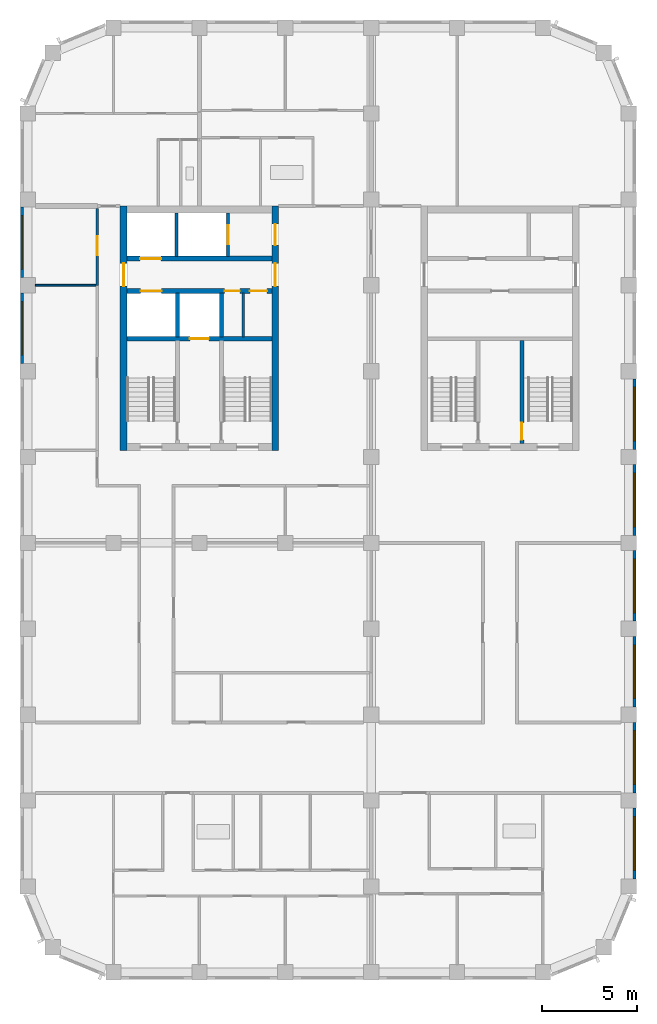
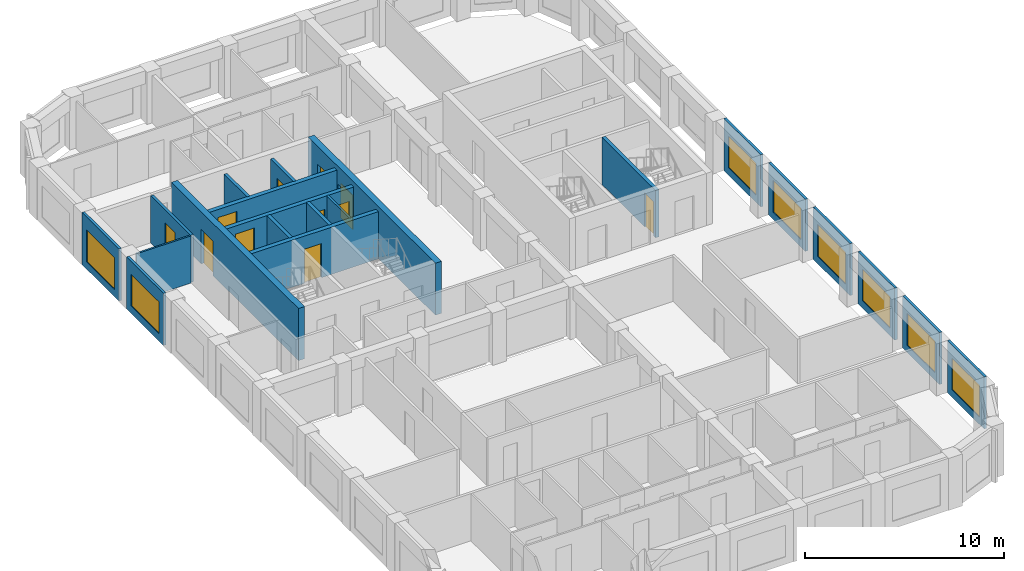
# One storey, part 5 of 10: 21 walls, 11 doors, 8 windows, 19 openings.
"""IFC4 building model written with IfcOpenShell, lengths in metres."""

from ifc_helpers import new_model, si_unit, direction, frame, frame_2d, origin, place, context, subcontext, project, spatial, rectangle, extrude, material, layer, layer_set, type_object, element, fill, save


model = new_model("IFC4")

# Units and contexts
model_context = context("Model", 3, precision=1e-05, world=origin(), true_north=direction((0.0, 1.0)))
body_context = subcontext(model_context, "Body", "Model", "MODEL_VIEW")
ifc_project = project(units=[si_unit("LENGTHUNIT", "METRE"), si_unit("AREAUNIT", "SQUARE_METRE"), si_unit("VOLUMEUNIT", "CUBIC_METRE"), si_unit("PLANEANGLEUNIT", "RADIAN"), si_unit("MASSUNIT", "GRAM", prefix="KILO")], contexts=[model_context])

# Site, building, storey
site_placement = place(None, origin())
site = spatial("IfcSite", under=ifc_project, at=site_placement, CompositionType="ELEMENT")
building_placement = place(site_placement, origin())
building = spatial("IfcBuilding", under=site, at=building_placement, Name="Girih Gate Residences", CompositionType="ELEMENT")
storey_placement = place(building_placement, frame((0.0, 0.0, 192.300048828125)))
storey = spatial("IfcBuildingStorey", under=building, at=storey_placement, Name="L53", CompositionType="ELEMENT", Elevation=192.300048828125)

# Wall, opening, door
ifc_material_1 = material(Name="Gypsum board on steel studs", Category="steel")
ifc_layer_1 = layer(ifc_material_1, 0.14990234375)
ifc_layer_set_1 = layer_set([ifc_layer_1], Name="Compartment wall 150 mm")
wall_type_1 = type_object("IfcWallType", Name="Compartment wall 150 mm", PredefinedType="PARTITIONING", material=ifc_layer_set_1)
wall_1_placement = place(storey_placement, frame((3.64990234375, 36.0, 0.0), z_axis=(0.0, 0.0, 1.0), x_axis=(0.0, 1.0, 0.0)))
wall_1 = element("IfcWall", 1, at=wall_1_placement, inside=storey, type_object=wall_type_1, Name="L53 partition", PredefinedType="PARTITIONING", context=body_context, shape_type="SweptSolid", body=[
    extrude(rectangle(XDim=4.02490234375, YDim=0.14990234375, at=frame_2d((2.012451171875, 0.0))), origin(), (0.0, 0.0, 1.0), 2.89990234375),
])
opening_1_placement = place(wall_1_placement, frame((1.574951171875, 0.0, 0.0)))
opening_1 = element("IfcOpeningElement", 2, at=opening_1_placement, cuts=wall_1, Name="Opening A53-039", PredefinedType="OPENING", context=body_context, shape_type="SweptSolid", body=[
    extrude(rectangle(XDim=1.0, YDim=2.10009765625, at=frame_2d((0.5, 1.050048828125))), frame((0.0, 0.0849609375, 0.0), z_axis=(0.0, -1.0, 0.0), x_axis=(1.0, 0.0, 0.0)), (0.0, 0.0, 1.0), 0.169921875),
])
ifc_material_2 = material(Name="Timber, fire-rated core", Category="wood")
door_type_1 = type_object("IfcDoorType", Name="Amenity room door 1000x2100 FD30S", OperationType="NOTDEFINED", PredefinedType="DOOR", material=ifc_material_2)
door_1_placement = place(opening_1_placement, origin())
door_1 = element("IfcDoor", 3, at=door_1_placement, inside=storey, type_object=door_type_1, Name="Door A53-039", OperationType="SINGLE_SWING_RIGHT", OverallHeight=2.10009765625, OverallWidth=1.0, PredefinedType="DOOR", context=body_context, shape_type="SweptSolid", body=[
    extrude(rectangle(XDim=1.0, YDim=2.10009765625, at=frame_2d((0.5, 1.050048828125))), frame((0.0, 0.02490234375, 0.0), z_axis=(0.0, -1.0, 0.0), x_axis=(1.0, 0.0, 0.0)), (0.0, 0.0, 1.0), 0.050048828125),
])
fill(opening_1, door_1)

ifc_material_3 = material(Name="Concrete C60/75", Category="concrete")
ifc_layer_2 = layer(ifc_material_3, 0.35009765625)
ifc_layer_set_2 = layer_set([ifc_layer_2], Name="Core wall RC 350 Concrete C60/75")
wall_type_2 = type_object("IfcWallType", Name="Core wall RC 350 Concrete C60/75", PredefinedType="SOLIDWALL", material=ifc_layer_set_2)
wall_2_placement = place(storey_placement, frame((5.02490234375, 27.35009765625, 0.0), z_axis=(0.0, 0.0, 1.0), x_axis=(0.0, 1.0, 0.0)))
wall_2 = element("IfcWall", 4, at=wall_2_placement, inside=storey, type_object=wall_type_2, Name="Core wall W-W L53", PredefinedType="SOLIDWALL", context=body_context, shape_type="SweptSolid", body=[
    extrude(rectangle(XDim=12.7998046875, YDim=0.35009765625, at=frame_2d((6.39990234375, 0.0))), origin(), (0.0, 0.0, 1.0), 3.199951171875),
])
opening_2_placement = place(wall_2_placement, frame((8.60009765625, 0.0, 0.0)))
opening_2 = element("IfcOpeningElement", 5, at=opening_2_placement, cuts=wall_2, Name="Opening D-L53-W-013", PredefinedType="OPENING", context=body_context, shape_type="SweptSolid", body=[
    extrude(rectangle(XDim=1.199951171875, YDim=2.10009765625, at=frame_2d((0.60009765625, 1.050048828125))), frame((0.0, 0.18505859375, 0.0), z_axis=(0.0, -1.0, 0.0), x_axis=(1.0, 0.0, 0.0)), (0.0, 0.0, 1.0), 0.3701171875),
])
ifc_material_4 = material(Name="Painted steel, fire-resisting", Category="steel")
door_type_2 = type_object("IfcDoorType", Name="Fire door 1200x2100", OperationType="SINGLE_SWING_LEFT", PredefinedType="DOOR", material=ifc_material_4)
door_2_placement = place(opening_2_placement, origin())
door_2 = element("IfcDoor", 6, at=door_2_placement, inside=storey, type_object=door_type_2, Name="L53 W core door ll-w", OperationType="SINGLE_SWING_LEFT", OverallHeight=2.10009765625, OverallWidth=1.199951171875, PredefinedType="DOOR", context=body_context, shape_type="SweptSolid", body=[
    extrude(rectangle(XDim=1.199951171875, YDim=2.10009765625, at=frame_2d((0.60009765625, 1.050048828125))), frame((0.0, 0.02490234375, 0.0), z_axis=(0.0, -1.0, 0.0), x_axis=(1.0, 0.0, 0.0)), (0.0, 0.0, 1.0), 0.050048828125),
])
fill(opening_2, door_2)

# Wall, openings, doors
wall_3_placement = place(storey_placement, frame((12.97509765625, 27.35009765625, 0.0), z_axis=(0.0, 0.0, 1.0), x_axis=(0.0, 1.0, 0.0)))
wall_3 = element("IfcWall", 7, at=wall_3_placement, inside=storey, type_object=wall_type_2, Name="Core wall W-E L53", PredefinedType="SOLIDWALL", context=body_context, shape_type="SweptSolid", body=[
    extrude(rectangle(XDim=12.7998046875, YDim=0.35009765625, at=frame_2d((6.39990234375, 0.0))), origin(), (0.0, 0.0, 1.0), 3.199951171875),
])
opening_3_placement = place(wall_3_placement, frame((10.75, 0.0, 0.0)))
opening_3 = element("IfcOpeningElement", 8, at=opening_3_placement, cuts=wall_3, Name="Opening D-L53-W-012", PredefinedType="OPENING", context=body_context, shape_type="SweptSolid", body=[
    extrude(rectangle(XDim=1.10009765625, YDim=2.10009765625, at=frame_2d((0.550048828125, 1.050048828125))), frame((0.0, 0.18505859375, 0.0), z_axis=(0.0, -1.0, 0.0), x_axis=(1.0, 0.0, 0.0)), (0.0, 0.0, 1.0), 0.3701171875),
])
opening_4_placement = place(wall_3_placement, frame((8.60009765625, 0.0, 0.0)))
opening_4 = element("IfcOpeningElement", 9, at=opening_4_placement, cuts=wall_3, Name="Opening D-L53-W-014", PredefinedType="OPENING", context=body_context, shape_type="SweptSolid", body=[
    extrude(rectangle(XDim=1.199951171875, YDim=2.10009765625, at=frame_2d((0.60009765625, 1.050048828125))), frame((0.0, 0.18505859375, 0.0), z_axis=(0.0, -1.0, 0.0), x_axis=(1.0, 0.0, 0.0)), (0.0, 0.0, 1.0), 0.3701171875),
])
door_type_3 = type_object("IfcDoorType", Name="Fire door 1100x2100", OperationType="SINGLE_SWING_LEFT", PredefinedType="DOOR", material=ifc_material_4)
door_3_placement = place(opening_3_placement, origin())
door_3 = element("IfcDoor", 10, at=door_3_placement, inside=storey, type_object=door_type_3, Name="L53 W core door ffl2-e", OperationType="SINGLE_SWING_LEFT", OverallHeight=2.10009765625, OverallWidth=1.10009765625, PredefinedType="DOOR", context=body_context, shape_type="SweptSolid", body=[
    extrude(rectangle(XDim=1.10009765625, YDim=2.10009765625, at=frame_2d((0.550048828125, 1.050048828125))), frame((0.0, 0.02490234375, 0.0), z_axis=(0.0, -1.0, 0.0), x_axis=(1.0, 0.0, 0.0)), (0.0, 0.0, 1.0), 0.050048828125),
])
fill(opening_3, door_3)
door_4_placement = place(opening_4_placement, origin())
door_4 = element("IfcDoor", 11, at=door_4_placement, inside=storey, type_object=door_type_2, Name="L53 W core door ll-e", OperationType="SINGLE_SWING_LEFT", OverallHeight=2.10009765625, OverallWidth=1.199951171875, PredefinedType="DOOR", context=body_context, shape_type="SweptSolid", body=[
    extrude(rectangle(XDim=1.199951171875, YDim=2.10009765625, at=frame_2d((0.60009765625, 1.050048828125))), frame((0.0, 0.02490234375, 0.0), z_axis=(0.0, -1.0, 0.0), x_axis=(1.0, 0.0, 0.0)), (0.0, 0.0, 1.0), 0.050048828125),
])
fill(opening_4, door_4)

# Wall, opening, door
ifc_material_5 = material(Name="Concrete C40/50", Category="concrete")
ifc_layer_3 = layer(ifc_material_5, 0.25)
ifc_layer_set_3 = layer_set([ifc_layer_3], Name="Lift shaft wall 250")
wall_type_3 = type_object("IfcWallType", Name="Lift shaft wall 250", PredefinedType="SOLIDWALL", material=ifc_layer_set_3)
wall_4_placement = place(storey_placement, frame((5.199951171875, 33.199951171875, 0.0), z_axis=(0.0, 0.0, 1.0), x_axis=(1.0, 0.0, 0.0)))
wall_4 = element("IfcWall", 12, at=wall_4_placement, inside=storey, type_object=wall_type_3, Name="L53 W core wall H1", PredefinedType="SOLIDWALL", context=body_context, shape_type="SweptSolid", body=[
    extrude(rectangle(XDim=7.60009765625, YDim=0.25, at=frame_2d((3.800048828125, 0.0))), origin(), (0.0, 0.0, 1.0), 2.89990234375),
])
opening_5_placement = place(wall_4_placement, frame((3.300048828125, 0.0, 0.0)))
opening_5 = element("IfcOpeningElement", 13, at=opening_5_placement, cuts=wall_4, Name="Opening D-L53-W-006", PredefinedType="OPENING", context=body_context, shape_type="SweptSolid", body=[
    extrude(rectangle(XDim=1.0, YDim=2.10009765625, at=frame_2d((0.5, 1.050048828125))), frame((0.0, 0.135009765625, 0.0), z_axis=(0.0, -1.0, 0.0), x_axis=(1.0, 0.0, 0.0)), (0.0, 0.0, 1.0), 0.27001953125),
])
ifc_material_6 = material(Name="Stainless steel, fire-resisting", Category="steel")
door_type_4 = type_object("IfcDoorType", Name="Firefighting lift landing door 1000x2100", OperationType="SLIDING_TO_LEFT", PredefinedType="DOOR", material=ifc_material_6)
door_5_placement = place(opening_5_placement, origin())
door_5 = element("IfcDoor", 14, at=door_5_placement, inside=storey, type_object=door_type_4, Name="L53 lift FF-W landing door", OperationType="SLIDING_TO_LEFT", OverallHeight=2.10009765625, OverallWidth=1.0, PredefinedType="DOOR", context=body_context, shape_type="SweptSolid", body=[
    extrude(rectangle(XDim=1.0, YDim=2.10009765625, at=frame_2d((0.5, 1.050048828125))), frame((0.0, 0.02490234375, 0.0), z_axis=(0.0, -1.0, 0.0), x_axis=(1.0, 0.0, 0.0)), (0.0, 0.0, 1.0), 0.050048828125),
])
fill(opening_5, door_5)

# Wall, openings, doors
wall_5_placement = place(storey_placement, frame((5.199951171875, 35.699951171875, 0.0), z_axis=(0.0, 0.0, 1.0), x_axis=(1.0, 0.0, 0.0)))
wall_5 = element("IfcWall", 15, at=wall_5_placement, inside=storey, type_object=wall_type_3, Name="L53 W core wall H2", PredefinedType="SOLIDWALL", context=body_context, shape_type="SweptSolid", body=[
    extrude(rectangle(XDim=7.60009765625, YDim=0.25, at=frame_2d((3.800048828125, 0.0))), origin(), (0.0, 0.0, 1.0), 2.89990234375),
])
opening_6_placement = place(wall_5_placement, frame((0.72509765625, 0.0, 0.0)))
opening_6 = element("IfcOpeningElement", 16, at=opening_6_placement, cuts=wall_5, Name="Opening D-L53-W-005", PredefinedType="OPENING", context=body_context, shape_type="SweptSolid", body=[
    extrude(rectangle(XDim=1.10009765625, YDim=2.39990234375, at=frame_2d((0.550048828125, 1.199951171875))), frame((0.0, 0.135009765625, 0.0), z_axis=(0.0, -1.0, 0.0), x_axis=(1.0, 0.0, 0.0)), (0.0, 0.0, 1.0), 0.27001953125),
])
opening_7_placement = place(wall_5_placement, frame((5.125, 0.0, 0.0)))
opening_7 = element("IfcOpeningElement", 17, at=opening_7_placement, cuts=wall_5, Name="Opening D-L53-W-007", PredefinedType="OPENING", context=body_context, shape_type="SweptSolid", body=[
    extrude(rectangle(XDim=0.800048828125, YDim=2.10009765625, at=frame_2d((0.39990234375, 1.050048828125))), frame((0.0, 0.135009765625, 0.0), z_axis=(0.0, -1.0, 0.0), x_axis=(1.0, 0.0, 0.0)), (0.0, 0.0, 1.0), 0.27001953125),
])
opening_8_placement = place(wall_5_placement, frame((6.449951171875, 0.0, 0.0)))
opening_8 = element("IfcOpeningElement", 18, at=opening_8_placement, cuts=wall_5, Name="Opening D-L53-W-008", PredefinedType="OPENING", context=body_context, shape_type="SweptSolid", body=[
    extrude(rectangle(XDim=0.89990234375, YDim=2.10009765625, at=frame_2d((0.449951171875, 1.050048828125))), frame((0.0, 0.135009765625, 0.0), z_axis=(0.0, -1.0, 0.0), x_axis=(1.0, 0.0, 0.0)), (0.0, 0.0, 1.0), 0.27001953125),
])
door_type_5 = type_object("IfcDoorType", Name="Fire door 800x2100", OperationType="SINGLE_SWING_LEFT", PredefinedType="DOOR", material=ifc_material_4)
door_6_placement = place(opening_7_placement, origin())
door_6 = element("IfcDoor", 19, at=door_6_placement, inside=storey, type_object=door_type_5, Name="L53 W refuse store door", OperationType="SINGLE_SWING_LEFT", OverallHeight=2.10009765625, OverallWidth=0.800048828125, PredefinedType="DOOR", context=body_context, shape_type="SweptSolid", body=[
    extrude(rectangle(XDim=0.800048828125, YDim=2.10009765625, at=frame_2d((0.39990234375, 1.050048828125))), frame((0.0, 0.02490234375, 0.0), z_axis=(0.0, -1.0, 0.0), x_axis=(1.0, 0.0, 0.0)), (0.0, 0.0, 1.0), 0.050048828125),
])
fill(opening_7, door_6)
door_type_6 = type_object("IfcDoorType", Name="Fire door 900x2100", OperationType="SINGLE_SWING_LEFT", PredefinedType="DOOR", material=ifc_material_4)
door_7_placement = place(opening_8_placement, origin())
door_7 = element("IfcDoor", 20, at=door_7_placement, inside=storey, type_object=door_type_6, Name="L53 W cleaners store door", OperationType="SINGLE_SWING_LEFT", OverallHeight=2.10009765625, OverallWidth=0.89990234375, PredefinedType="DOOR", context=body_context, shape_type="SweptSolid", body=[
    extrude(rectangle(XDim=0.89990234375, YDim=2.10009765625, at=frame_2d((0.449951171875, 1.050048828125))), frame((0.0, 0.02490234375, 0.0), z_axis=(0.0, -1.0, 0.0), x_axis=(1.0, 0.0, 0.0)), (0.0, 0.0, 1.0), 0.050048828125),
])
fill(opening_8, door_7)
ifc_material_7 = material(Name="Stainless steel", Category="steel")
door_type_7 = type_object("IfcDoorType", Name="Lift landing door 1100x2400", OperationType="SLIDING_TO_LEFT", PredefinedType="DOOR", material=ifc_material_7)
door_8_placement = place(opening_6_placement, origin())
door_8 = element("IfcDoor", 21, at=door_8_placement, inside=storey, type_object=door_type_7, Name="L53 lift HR-W1 landing door", OperationType="SLIDING_TO_LEFT", OverallHeight=2.39990234375, OverallWidth=1.10009765625, PredefinedType="DOOR", context=body_context, shape_type="SweptSolid", body=[
    extrude(rectangle(XDim=1.10009765625, YDim=2.39990234375, at=frame_2d((0.550048828125, 1.199951171875))), frame((0.0, 0.02490234375, 0.0), z_axis=(0.0, -1.0, 0.0), x_axis=(1.0, 0.0, 0.0)), (0.0, 0.0, 1.0), 0.050048828125),
])
fill(opening_6, door_8)

# Wall, opening, door
wall_6_placement = place(storey_placement, frame((5.199951171875, 37.39990234375, 0.0), z_axis=(0.0, 0.0, 1.0), x_axis=(1.0, 0.0, 0.0)))
wall_6 = element("IfcWall", 22, at=wall_6_placement, inside=storey, type_object=wall_type_3, Name="L53 W core wall H3", PredefinedType="SOLIDWALL", context=body_context, shape_type="SweptSolid", body=[
    extrude(rectangle(XDim=7.60009765625, YDim=0.25, at=frame_2d((3.800048828125, 0.0))), origin(), (0.0, 0.0, 1.0), 2.89990234375),
])
opening_9_placement = place(wall_6_placement, frame((0.699951171875, 0.0, 0.0)))
opening_9 = element("IfcOpeningElement", 23, at=opening_9_placement, cuts=wall_6, Name="Opening D-L53-W-003", PredefinedType="OPENING", context=body_context, shape_type="SweptSolid", body=[
    extrude(rectangle(XDim=1.10009765625, YDim=2.39990234375, at=frame_2d((0.550048828125, 1.199951171875))), frame((0.0, 0.135009765625, 0.0), z_axis=(0.0, -1.0, 0.0), x_axis=(1.0, 0.0, 0.0)), (0.0, 0.0, 1.0), 0.27001953125),
])
door_9_placement = place(opening_9_placement, origin())
door_9 = element("IfcDoor", 24, at=door_9_placement, inside=storey, type_object=door_type_7, Name="L53 lift LR-W1 landing door", OperationType="SLIDING_TO_LEFT", OverallHeight=2.39990234375, OverallWidth=1.10009765625, PredefinedType="DOOR", context=body_context, shape_type="SweptSolid", body=[
    extrude(rectangle(XDim=1.10009765625, YDim=2.39990234375, at=frame_2d((0.550048828125, 1.199951171875))), frame((0.0, 0.02490234375, 0.0), z_axis=(0.0, -1.0, 0.0), x_axis=(1.0, 0.0, 0.0)), (0.0, 0.0, 1.0), 0.050048828125),
])
fill(opening_9, door_9)

# Wall
ifc_layer_4 = layer(ifc_material_1, 0.10009765625)
ifc_layer_set_4 = layer_set([ifc_layer_4], Name="Partition 100 mm")
wall_type_4 = type_object("IfcWallType", Name="Partition 100 mm", PredefinedType="PARTITIONING", material=ifc_layer_set_4)
wall_7_placement = place(storey_placement, frame((0.39990234375, 36.0, 0.0), z_axis=(0.0, 0.0, 1.0), x_axis=(1.0, 0.0, 0.0)))
element("IfcWall", 25, at=wall_7_placement, inside=storey, type_object=wall_type_4, Name="L53 partition", PredefinedType="PARTITIONING", context=body_context, shape_type="SweptSolid", body=[
    extrude(rectangle(XDim=3.175048828125, YDim=0.10009765625, at=frame_2d((1.58740234375, 0.0))), origin(), (0.0, 0.0, 1.0), 2.89990234375),
])

# Wall, opening, window
ifc_material_8 = material(Name="Precast concrete C50/60", Category="concrete")
ifc_layer_5 = layer(ifc_material_8, 0.050048828125, Name="Outer leaf")
ifc_material_9 = material(Name="Rigid PIR insulation")
ifc_layer_6 = layer(ifc_material_9, 0.06005859375, Name="Insulation")
ifc_material_10 = material(Name="Precast concrete C40/50", Category="concrete")
ifc_layer_7 = layer(ifc_material_10, 0.0400390625, Name="Inner leaf")
ifc_layer_set_5 = layer_set([ifc_layer_5, ifc_layer_6, ifc_layer_7], Name="Precast concrete C50/60 external wall 150")
wall_type_5 = type_object("IfcWallType", Name="Precast concrete C50/60 external wall 150", PredefinedType="SOLIDWALL", material=ifc_layer_set_5)
wall_8_placement = place(storey_placement, frame((31.800048828125, 8.60009765625, 0.0), z_axis=(0.0, 0.0, 1.0), x_axis=(0.0, -1.0, 0.0)))
wall_8 = element("IfcWall", 26, at=wall_8_placement, inside=storey, type_object=wall_type_5, Name="External wall E0315_0045.0", PredefinedType="SOLIDWALL", context=body_context, shape_type="SweptSolid", body=[
    extrude(rectangle(XDim=3.7001953125, YDim=0.14990234375, at=frame_2d((1.85009765625, 0.0))), origin(), (0.0, 0.0, 1.0), 3.199951171875),
])
opening_10_placement = place(wall_8_placement, frame((0.449951171875, 0.0, 0.449951171875)))
opening_10 = element("IfcOpeningElement", 27, at=opening_10_placement, cuts=wall_8, Name="Opening W-1B", PredefinedType="OPENING", context=body_context, shape_type="SweptSolid", body=[
    extrude(rectangle(XDim=2.800048828125, YDim=1.949951171875, at=frame_2d((1.39990234375, 0.97509765625))), frame((0.0, 0.0849609375, 0.0), z_axis=(0.0, -1.0, 0.0), x_axis=(1.0, 0.0, 0.0)), (0.0, 0.0, 1.0), 0.169921875),
])
ifc_material_11 = material(Name="Double glazing in aluminium frame", Category="aluminium")
window_type = type_object("IfcWindowType", Name="Window W-1B 2800x1950", PartitioningType="SINGLE_PANEL", PredefinedType="WINDOW", material=ifc_material_11)
window_1_placement = place(opening_10_placement, origin())
window_1 = element("IfcWindow", 28, at=window_1_placement, inside=storey, type_object=window_type, Name="Window W-1B E0315_0045.0", OverallHeight=1.949951171875, OverallWidth=2.800048828125, PartitioningType="SINGLE_PANEL", PredefinedType="WINDOW", context=body_context, shape_type="SweptSolid", body=[
    extrude(rectangle(XDim=2.800048828125, YDim=1.949951171875, at=frame_2d((1.39990234375, 0.97509765625))), frame((0.0, 0.030029296875, 0.0), z_axis=(0.0, -1.0, 0.0), x_axis=(1.0, 0.0, 0.0)), (0.0, 0.0, 1.0), 0.06005859375),
])
fill(opening_10, window_1)

wall_9_placement = place(storey_placement, frame((31.800048828125, 13.10009765625, 0.0), z_axis=(0.0, 0.0, 1.0), x_axis=(0.0, -1.0, 0.0)))
wall_9 = element("IfcWall", 29, at=wall_9_placement, inside=storey, type_object=wall_type_5, Name="External wall E0315_0045.1", PredefinedType="SOLIDWALL", context=body_context, shape_type="SweptSolid", body=[
    extrude(rectangle(XDim=3.7001953125, YDim=0.14990234375, at=frame_2d((1.85009765625, 0.0))), origin(), (0.0, 0.0, 1.0), 3.199951171875),
])
opening_11_placement = place(wall_9_placement, frame((0.449951171875, 0.0, 0.449951171875)))
opening_11 = element("IfcOpeningElement", 30, at=opening_11_placement, cuts=wall_9, Name="Opening W-1B", PredefinedType="OPENING", context=body_context, shape_type="SweptSolid", body=[
    extrude(rectangle(XDim=2.800048828125, YDim=1.949951171875, at=frame_2d((1.39990234375, 0.97509765625))), frame((0.0, 0.0849609375, 0.0), z_axis=(0.0, -1.0, 0.0), x_axis=(1.0, 0.0, 0.0)), (0.0, 0.0, 1.0), 0.169921875),
])
window_2_placement = place(opening_11_placement, origin())
window_2 = element("IfcWindow", 31, at=window_2_placement, inside=storey, type_object=window_type, Name="Window W-1B E0315_0045.1", OverallHeight=1.949951171875, OverallWidth=2.800048828125, PartitioningType="SINGLE_PANEL", PredefinedType="WINDOW", context=body_context, shape_type="SweptSolid", body=[
    extrude(rectangle(XDim=2.800048828125, YDim=1.949951171875, at=frame_2d((1.39990234375, 0.97509765625))), frame((0.0, 0.030029296875, 0.0), z_axis=(0.0, -1.0, 0.0), x_axis=(1.0, 0.0, 0.0)), (0.0, 0.0, 1.0), 0.06005859375),
])
fill(opening_11, window_2)

wall_10_placement = place(storey_placement, frame((31.800048828125, 17.60009765625, 0.0), z_axis=(0.0, 0.0, 1.0), x_axis=(0.0, -1.0, 0.0)))
wall_10 = element("IfcWall", 32, at=wall_10_placement, inside=storey, type_object=wall_type_5, Name="External wall E0315_0045.2", PredefinedType="SOLIDWALL", context=body_context, shape_type="SweptSolid", body=[
    extrude(rectangle(XDim=3.7001953125, YDim=0.14990234375, at=frame_2d((1.85009765625, 0.0))), origin(), (0.0, 0.0, 1.0), 3.199951171875),
])
opening_12_placement = place(wall_10_placement, frame((0.449951171875, 0.0, 0.449951171875)))
opening_12 = element("IfcOpeningElement", 33, at=opening_12_placement, cuts=wall_10, Name="Opening W-1B", PredefinedType="OPENING", context=body_context, shape_type="SweptSolid", body=[
    extrude(rectangle(XDim=2.800048828125, YDim=1.949951171875, at=frame_2d((1.39990234375, 0.97509765625))), frame((0.0, 0.0849609375, 0.0), z_axis=(0.0, -1.0, 0.0), x_axis=(1.0, 0.0, 0.0)), (0.0, 0.0, 1.0), 0.169921875),
])
window_3_placement = place(opening_12_placement, origin())
window_3 = element("IfcWindow", 34, at=window_3_placement, inside=storey, type_object=window_type, Name="Window W-1B E0315_0045.2", OverallHeight=1.949951171875, OverallWidth=2.800048828125, PartitioningType="SINGLE_PANEL", PredefinedType="WINDOW", context=body_context, shape_type="SweptSolid", body=[
    extrude(rectangle(XDim=2.800048828125, YDim=1.949951171875, at=frame_2d((1.39990234375, 0.97509765625))), frame((0.0, 0.030029296875, 0.0), z_axis=(0.0, -1.0, 0.0), x_axis=(1.0, 0.0, 0.0)), (0.0, 0.0, 1.0), 0.06005859375),
])
fill(opening_12, window_3)

wall_11_placement = place(storey_placement, frame((31.800048828125, 22.10009765625, 0.0), z_axis=(0.0, 0.0, 1.0), x_axis=(0.0, -1.0, 0.0)))
wall_11 = element("IfcWall", 35, at=wall_11_placement, inside=storey, type_object=wall_type_5, Name="External wall E0315_0045.3", PredefinedType="SOLIDWALL", context=body_context, shape_type="SweptSolid", body=[
    extrude(rectangle(XDim=3.7001953125, YDim=0.14990234375, at=frame_2d((1.85009765625, 0.0))), origin(), (0.0, 0.0, 1.0), 3.199951171875),
])
opening_13_placement = place(wall_11_placement, frame((0.449951171875, 0.0, 0.449951171875)))
opening_13 = element("IfcOpeningElement", 36, at=opening_13_placement, cuts=wall_11, Name="Opening W-1B", PredefinedType="OPENING", context=body_context, shape_type="SweptSolid", body=[
    extrude(rectangle(XDim=2.800048828125, YDim=1.949951171875, at=frame_2d((1.39990234375, 0.97509765625))), frame((0.0, 0.0849609375, 0.0), z_axis=(0.0, -1.0, 0.0), x_axis=(1.0, 0.0, 0.0)), (0.0, 0.0, 1.0), 0.169921875),
])
window_4_placement = place(opening_13_placement, origin())
window_4 = element("IfcWindow", 37, at=window_4_placement, inside=storey, type_object=window_type, Name="Window W-1B E0315_0045.3", OverallHeight=1.949951171875, OverallWidth=2.800048828125, PartitioningType="SINGLE_PANEL", PredefinedType="WINDOW", context=body_context, shape_type="SweptSolid", body=[
    extrude(rectangle(XDim=2.800048828125, YDim=1.949951171875, at=frame_2d((1.39990234375, 0.97509765625))), frame((0.0, 0.030029296875, 0.0), z_axis=(0.0, -1.0, 0.0), x_axis=(1.0, 0.0, 0.0)), (0.0, 0.0, 1.0), 0.06005859375),
])
fill(opening_13, window_4)

wall_12_placement = place(storey_placement, frame((31.800048828125, 26.60009765625, 0.0), z_axis=(0.0, 0.0, 1.0), x_axis=(0.0, -1.0, 0.0)))
wall_12 = element("IfcWall", 38, at=wall_12_placement, inside=storey, type_object=wall_type_5, Name="External wall E0315_0045.4", PredefinedType="SOLIDWALL", context=body_context, shape_type="SweptSolid", body=[
    extrude(rectangle(XDim=3.7001953125, YDim=0.14990234375, at=frame_2d((1.85009765625, 0.0))), origin(), (0.0, 0.0, 1.0), 3.199951171875),
])
opening_14_placement = place(wall_12_placement, frame((0.449951171875, 0.0, 0.449951171875)))
opening_14 = element("IfcOpeningElement", 39, at=opening_14_placement, cuts=wall_12, Name="Opening W-1B", PredefinedType="OPENING", context=body_context, shape_type="SweptSolid", body=[
    extrude(rectangle(XDim=2.800048828125, YDim=1.949951171875, at=frame_2d((1.39990234375, 0.97509765625))), frame((0.0, 0.0849609375, 0.0), z_axis=(0.0, -1.0, 0.0), x_axis=(1.0, 0.0, 0.0)), (0.0, 0.0, 1.0), 0.169921875),
])
window_5_placement = place(opening_14_placement, origin())
window_5 = element("IfcWindow", 40, at=window_5_placement, inside=storey, type_object=window_type, Name="Window W-1B E0315_0045.4", OverallHeight=1.949951171875, OverallWidth=2.800048828125, PartitioningType="SINGLE_PANEL", PredefinedType="WINDOW", context=body_context, shape_type="SweptSolid", body=[
    extrude(rectangle(XDim=2.800048828125, YDim=1.949951171875, at=frame_2d((1.39990234375, 0.97509765625))), frame((0.0, 0.030029296875, 0.0), z_axis=(0.0, -1.0, 0.0), x_axis=(1.0, 0.0, 0.0)), (0.0, 0.0, 1.0), 0.06005859375),
])
fill(opening_14, window_5)

wall_13_placement = place(storey_placement, frame((31.800048828125, 31.10009765625, 0.0), z_axis=(0.0, 0.0, 1.0), x_axis=(0.0, -1.0, 0.0)))
wall_13 = element("IfcWall", 41, at=wall_13_placement, inside=storey, type_object=wall_type_5, Name="External wall E0315_0045.5", PredefinedType="SOLIDWALL", context=body_context, shape_type="SweptSolid", body=[
    extrude(rectangle(XDim=3.7001953125, YDim=0.14990234375, at=frame_2d((1.85009765625, 0.0))), origin(), (0.0, 0.0, 1.0), 3.199951171875),
])
opening_15_placement = place(wall_13_placement, frame((0.449951171875, 0.0, 0.449951171875)))
opening_15 = element("IfcOpeningElement", 42, at=opening_15_placement, cuts=wall_13, Name="Opening W-1B", PredefinedType="OPENING", context=body_context, shape_type="SweptSolid", body=[
    extrude(rectangle(XDim=2.800048828125, YDim=1.949951171875, at=frame_2d((1.39990234375, 0.97509765625))), frame((0.0, 0.0849609375, 0.0), z_axis=(0.0, -1.0, 0.0), x_axis=(1.0, 0.0, 0.0)), (0.0, 0.0, 1.0), 0.169921875),
])
window_6_placement = place(opening_15_placement, origin())
window_6 = element("IfcWindow", 43, at=window_6_placement, inside=storey, type_object=window_type, Name="Window W-1B E0315_0045.5", OverallHeight=1.949951171875, OverallWidth=2.800048828125, PartitioningType="SINGLE_PANEL", PredefinedType="WINDOW", context=body_context, shape_type="SweptSolid", body=[
    extrude(rectangle(XDim=2.800048828125, YDim=1.949951171875, at=frame_2d((1.39990234375, 0.97509765625))), frame((0.0, 0.030029296875, 0.0), z_axis=(0.0, -1.0, 0.0), x_axis=(1.0, 0.0, 0.0)), (0.0, 0.0, 1.0), 0.06005859375),
])
fill(opening_15, window_6)

wall_14_placement = place(storey_placement, frame((-0.300048828125, 36.39990234375, 0.0), z_axis=(0.0, 0.0, 1.0), x_axis=(0.0, 1.0, 0.0)))
wall_14 = element("IfcWall", 44, at=wall_14_placement, inside=storey, type_object=wall_type_5, Name="External wall W0000_0450.1", PredefinedType="SOLIDWALL", context=body_context, shape_type="SweptSolid", body=[
    extrude(rectangle(XDim=3.7001953125, YDim=0.14990234375, at=frame_2d((1.85009765625, 0.0))), origin(), (0.0, 0.0, 1.0), 3.199951171875),
])
opening_16_placement = place(wall_14_placement, frame((0.449951171875, 0.0, 0.449951171875)))
opening_16 = element("IfcOpeningElement", 45, at=opening_16_placement, cuts=wall_14, Name="Opening W-1B", PredefinedType="OPENING", context=body_context, shape_type="SweptSolid", body=[
    extrude(rectangle(XDim=2.800048828125, YDim=1.949951171875, at=frame_2d((1.39990234375, 0.97509765625))), frame((0.0, 0.0849609375, 0.0), z_axis=(0.0, -1.0, 0.0), x_axis=(1.0, 0.0, 0.0)), (0.0, 0.0, 1.0), 0.169921875),
])
window_7_placement = place(opening_16_placement, origin())
window_7 = element("IfcWindow", 46, at=window_7_placement, inside=storey, type_object=window_type, Name="Window W-1B W0000_0450.1", OverallHeight=1.949951171875, OverallWidth=2.800048828125, PartitioningType="SINGLE_PANEL", PredefinedType="WINDOW", context=body_context, shape_type="SweptSolid", body=[
    extrude(rectangle(XDim=2.800048828125, YDim=1.949951171875, at=frame_2d((1.39990234375, 0.97509765625))), frame((0.0, 0.030029296875, 0.0), z_axis=(0.0, -1.0, 0.0), x_axis=(1.0, 0.0, 0.0)), (0.0, 0.0, 1.0), 0.06005859375),
])
fill(opening_16, window_7)

wall_15_placement = place(storey_placement, frame((-0.300048828125, 31.89990234375, 0.0), z_axis=(0.0, 0.0, 1.0), x_axis=(0.0, 1.0, 0.0)))
wall_15 = element("IfcWall", 47, at=wall_15_placement, inside=storey, type_object=wall_type_5, Name="External wall W0000_0450.2", PredefinedType="SOLIDWALL", context=body_context, shape_type="SweptSolid", body=[
    extrude(rectangle(XDim=3.7001953125, YDim=0.14990234375, at=frame_2d((1.85009765625, 0.0))), origin(), (0.0, 0.0, 1.0), 3.199951171875),
])
opening_17_placement = place(wall_15_placement, frame((0.449951171875, 0.0, 0.449951171875)))
opening_17 = element("IfcOpeningElement", 48, at=opening_17_placement, cuts=wall_15, Name="Opening W-1B", PredefinedType="OPENING", context=body_context, shape_type="SweptSolid", body=[
    extrude(rectangle(XDim=2.800048828125, YDim=1.949951171875, at=frame_2d((1.39990234375, 0.97509765625))), frame((0.0, 0.0849609375, 0.0), z_axis=(0.0, -1.0, 0.0), x_axis=(1.0, 0.0, 0.0)), (0.0, 0.0, 1.0), 0.169921875),
])
window_8_placement = place(opening_17_placement, origin())
window_8 = element("IfcWindow", 49, at=window_8_placement, inside=storey, type_object=window_type, Name="Window W-1B W0000_0450.2", OverallHeight=1.949951171875, OverallWidth=2.800048828125, PartitioningType="SINGLE_PANEL", PredefinedType="WINDOW", context=body_context, shape_type="SweptSolid", body=[
    extrude(rectangle(XDim=2.800048828125, YDim=1.949951171875, at=frame_2d((1.39990234375, 0.97509765625))), frame((0.0, 0.030029296875, 0.0), z_axis=(0.0, -1.0, 0.0), x_axis=(1.0, 0.0, 0.0)), (0.0, 0.0, 1.0), 0.06005859375),
])
fill(opening_17, window_8)

# Wall
ifc_layer_8 = layer(ifc_material_5, 0.175048828125)
ifc_layer_set_6 = layer_set([ifc_layer_8], Name="Riser shaft wall 175")
wall_type_6 = type_object("IfcWallType", Name="Riser shaft wall 175", PredefinedType="SOLIDWALL", material=ifc_layer_set_6)
wall_16_placement = place(storey_placement, frame((7.800048828125, 37.5, 0.0), z_axis=(0.0, 0.0, 1.0), x_axis=(0.0, 1.0, 0.0)))
element("IfcWall", 50, at=wall_16_placement, inside=storey, type_object=wall_type_6, Name="L53 W core wall V1c", PredefinedType="SOLIDWALL", context=body_context, shape_type="SweptSolid", body=[
    extrude(rectangle(XDim=2.300048828125, YDim=0.175048828125, at=frame_2d((1.14990234375, 0.0))), origin(), (0.0, 0.0, 1.0), 2.89990234375),
])

# Wall, opening, door
wall_17_placement = place(storey_placement, frame((10.5, 37.5, 0.0), z_axis=(0.0, 0.0, 1.0), x_axis=(0.0, 1.0, 0.0)))
wall_17 = element("IfcWall", 51, at=wall_17_placement, inside=storey, type_object=wall_type_6, Name="L53 W core wall V2c", PredefinedType="SOLIDWALL", context=body_context, shape_type="SweptSolid", body=[
    extrude(rectangle(XDim=2.300048828125, YDim=0.175048828125, at=frame_2d((1.14990234375, 0.0))), origin(), (0.0, 0.0, 1.0), 2.89990234375),
])
opening_18_placement = place(wall_17_placement, frame((0.64990234375, 0.0, 0.0)))
opening_18 = element("IfcOpeningElement", 52, at=opening_18_placement, cuts=wall_17, Name="Opening D-L53-W-004", PredefinedType="OPENING", context=body_context, shape_type="SweptSolid", body=[
    extrude(rectangle(XDim=1.0, YDim=2.10009765625, at=frame_2d((0.5, 1.050048828125))), frame((0.0, 0.097412109375, 0.0), z_axis=(0.0, -1.0, 0.0), x_axis=(1.0, 0.0, 0.0)), (0.0, 0.0, 1.0), 0.195068359375),
])
door_10_placement = place(opening_18_placement, origin())
door_10 = element("IfcDoor", 53, at=door_10_placement, inside=storey, type_object=door_type_4, Name="L53 lift FF-W2 landing door", OperationType="SLIDING_TO_LEFT", OverallHeight=2.10009765625, OverallWidth=1.0, PredefinedType="DOOR", context=body_context, shape_type="SweptSolid", body=[
    extrude(rectangle(XDim=1.0, YDim=2.10009765625, at=frame_2d((0.5, 1.050048828125))), frame((0.0, 0.02490234375, 0.0), z_axis=(0.0, -1.0, 0.0), x_axis=(1.0, 0.0, 0.0)), (0.0, 0.0, 1.0), 0.050048828125),
])
fill(opening_18, door_10)

# Walls
ifc_layer_9 = layer(ifc_material_5, 0.199951171875)
ifc_layer_set_7 = layer_set([ifc_layer_9], Name="Shaft wall 200")
wall_type_7 = type_object("IfcWallType", Name="Shaft wall 200", PredefinedType="SOLIDWALL", material=ifc_layer_set_7)
for number, where, z_axis, x_axis, name in (
    (54, (7.85009765625, 33.300048828125, 0.0), (0.0, 0.0, 1.0), (0.0, 1.0, 0.0), "L53 W core wall V1b"),
    (55, (10.14990234375, 33.300048828125, 0.0), (0.0, 0.0, 1.0), (0.0, 1.0, 0.0), "L53 W core wall V2b"),
):
    element("IfcWall", number, at=place(storey_placement, frame(where, z_axis=z_axis, x_axis=x_axis)), inside=storey, type_object=wall_type_7, Name=name, PredefinedType="SOLIDWALL", context=body_context, shape_type="SweptSolid", body=[
        extrude(rectangle(XDim=2.300048828125, YDim=0.199951171875, at=frame_2d((1.14990234375, 0.0))), origin(), (0.0, 0.0, 1.0), 2.89990234375),
    ])

# Wall, opening, door
wall_18_placement = place(storey_placement, frame((25.89990234375, 27.699951171875, 0.0), z_axis=(0.0, 0.0, 1.0), x_axis=(0.0, 1.0, 0.0)))
wall_18 = element("IfcWall", 56, at=wall_18_placement, inside=storey, type_object=wall_type_7, Name="L53 C core wall V2a", PredefinedType="SOLIDWALL", context=body_context, shape_type="SweptSolid", body=[
    extrude(rectangle(XDim=5.400146484375, YDim=0.199951171875, at=frame_2d((2.7001953125, 0.0))), origin(), (0.0, 0.0, 1.0), 2.89990234375),
])
opening_19_placement = place(wall_18_placement, frame((0.199951171875, 0.0, 0.0)))
opening_19 = element("IfcOpeningElement", 57, at=opening_19_placement, cuts=wall_18, Name="Opening D-L53-C-002", PredefinedType="OPENING", context=body_context, shape_type="SweptSolid", body=[
    extrude(rectangle(XDim=0.89990234375, YDim=2.10009765625, at=frame_2d((0.449951171875, 1.050048828125))), frame((0.0, 0.10986328125, 0.0), z_axis=(0.0, -1.0, 0.0), x_axis=(1.0, 0.0, 0.0)), (0.0, 0.0, 1.0), 0.219970703125),
])
door_11_placement = place(opening_19_placement, origin())
door_11 = element("IfcDoor", 58, at=door_11_placement, inside=storey, type_object=door_type_6, Name="L53 C door stair 2 to stair lobby", OperationType="SINGLE_SWING_LEFT", OverallHeight=2.10009765625, OverallWidth=0.89990234375, PredefinedType="DOOR", context=body_context, shape_type="SweptSolid", body=[
    extrude(rectangle(XDim=0.89990234375, YDim=2.10009765625, at=frame_2d((0.449951171875, 1.050048828125))), frame((0.0, 0.02490234375, 0.0), z_axis=(0.0, -1.0, 0.0), x_axis=(1.0, 0.0, 0.0)), (0.0, 0.0, 1.0), 0.050048828125),
])
fill(opening_19, door_11)

# Wall
ifc_material_12 = material(Name="Calcium silicate blockwork", Category="masonry")
ifc_layer_10 = layer(ifc_material_12, 0.125)
ifc_layer_set_8 = layer_set([ifc_layer_10], Name="Store partition 125")
wall_type_8 = type_object("IfcWallType", Name="Store partition 125", PredefinedType="PARTITIONING", material=ifc_layer_set_8)
wall_19_placement = place(storey_placement, frame((11.300048828125, 33.300048828125, 0.0), z_axis=(0.0, 0.0, 1.0), x_axis=(0.0, 1.0, 0.0)))
element("IfcWall", 59, at=wall_19_placement, inside=storey, type_object=wall_type_8, Name="L53 W core wall SHR2", PredefinedType="PARTITIONING", context=body_context, shape_type="SweptSolid", body=[
    extrude(rectangle(XDim=2.300048828125, YDim=0.125, at=frame_2d((1.14990234375, 0.0))), origin(), (0.0, 0.0, 1.0), 2.89990234375),
])

save(model, "model.ifc")
